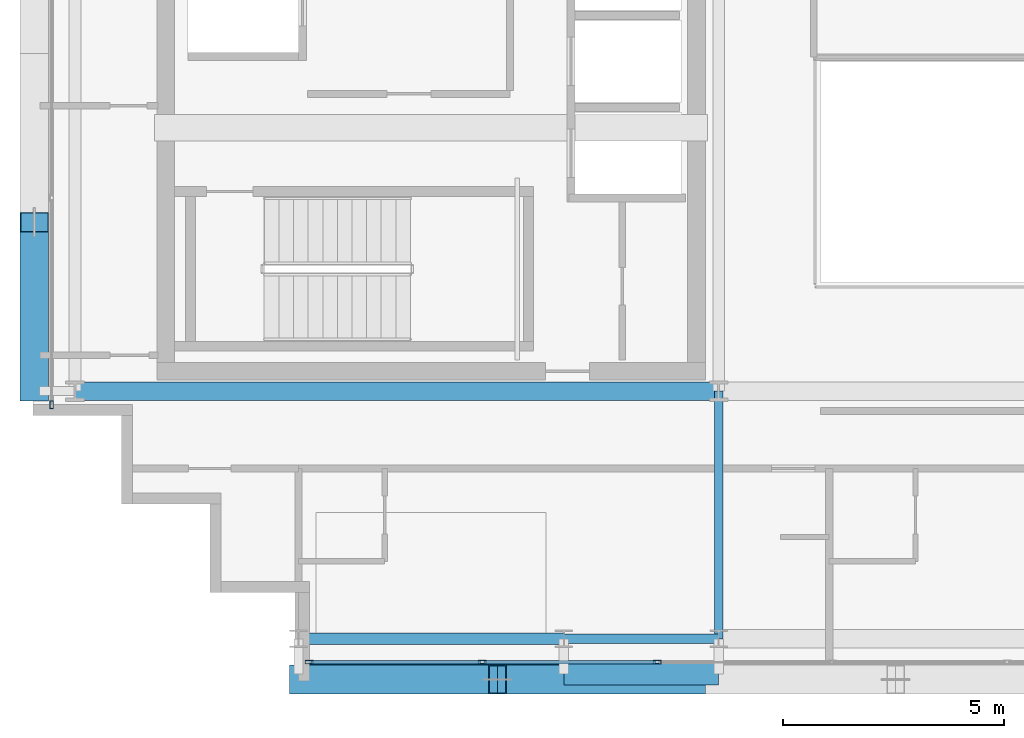
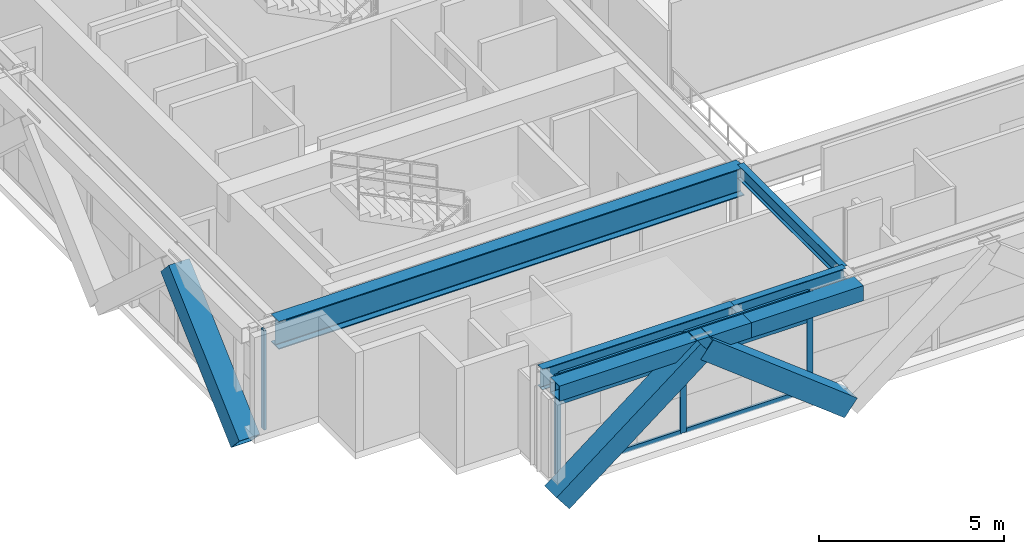
# One storey, part 2 of 28: 13 members, 6 beams, 2 elements without a shape of their own.
"""IFC4 building model written with IfcOpenShell, lengths in metres."""

import ifcopenshell
import ifcopenshell.guid

model = None  # the IFC model being written
_history = None  # IfcOwnerHistory: only IFC2X3 demands one
_inside = {}  # id of a spatial element -> (the spatial element, [elements in it])
_under = {}  # id of a project, library or spatial element -> (it, [spatial elements below it])
_declared = {}  # id of a project -> (the project, [libraries it declares])
_typed = {}  # id of a type object -> (the type object, [elements of that type])
_made_of = {}  # id of a material, layer set ... -> (it, [elements and type objects made of it])


def new_model(schema):
    """Start an empty IFC model of exactly this schema.

    Asked for "IFC4X3", IfcOpenShell would pick the latest addendum, in which some entities
    have other attributes; the version numbers below select the first issue.
    IFC2X3 requires an IfcOwnerHistory on every rooted entity: one is made here for all.
    """
    global model, _history
    if schema == "IFC4X3":
        model = ifcopenshell.file(schema_version=(4, 3, 0, 0))
    else:
        model = ifcopenshell.file(schema=schema)
    _inside.clear()
    _under.clear()
    _declared.clear()
    _typed.clear()
    _made_of.clear()
    _history = None
    if model.schema == "IFC2X3":
        org = make("IfcOrganization", Name="unknown")
        user = make(
            "IfcPersonAndOrganization",
            ThePerson=make("IfcPerson", FamilyName="unknown"),
            TheOrganization=org,
        )
        app = make(
            "IfcApplication",
            ApplicationDeveloper=org,
            Version="unknown",
            ApplicationFullName="unknown",
            ApplicationIdentifier="unknown",
        )
        _history = make(
            "IfcOwnerHistory",
            OwningUser=user,
            OwningApplication=app,
            ChangeAction="ADDED",
            CreationDate=0,
        )
    return model


def make(cls, **values):
    """One entity of the class cls with the attributes given. An attribute that is None is left unset."""
    return model.create_entity(
        cls, **{name: value for name, value in values.items() if value is not None}
    )


def rooted(cls, **values):
    """An entity with a GlobalId (a new one), such as an element, a storey or a relation."""
    return make(cls, GlobalId=ifcopenshell.guid.new(), OwnerHistory=_history, **values)


def si_unit(unit_type, name, prefix=None):
    """IfcSIUnit, for example si_unit("LENGTHUNIT", "METRE", prefix="MILLI")."""
    return make("IfcSIUnit", UnitType=unit_type, Prefix=prefix, Name=name)


def assignment(units):
    """IfcUnitAssignment: the units of a project."""
    return None if units is None else make("IfcUnitAssignment", Units=units)


def point(xyz):
    """IfcCartesianPoint."""
    return None if xyz is None else make("IfcCartesianPoint", Coordinates=xyz)


def direction(xyz):
    """IfcDirection."""
    return None if xyz is None else make("IfcDirection", DirectionRatios=xyz)


def frame(location, z_axis=None, x_axis=None):
    """IfcAxis2Placement3D, a coordinate frame: its origin and axes. An axis left out is left unset."""
    return make(
        "IfcAxis2Placement3D",
        Location=point(location),
        Axis=direction(z_axis),
        RefDirection=direction(x_axis),
    )


def frame_2d(location, x_axis=None):
    """IfcAxis2Placement2D, a coordinate frame in the plane: its origin and x axis."""
    return make(
        "IfcAxis2Placement2D", Location=point(location), RefDirection=direction(x_axis)
    )


def origin():
    """The frame at (0, 0, 0) with its axes left unset."""
    return frame((0.0, 0.0, 0.0))


def origin_2d():
    """The frame at (0, 0) in the plane with its x axis left unset."""
    return frame_2d((0.0, 0.0))


def place(relative_to, where):
    """IfcLocalPlacement: puts the frame where relative to a parent placement (None: the world)."""
    return make(
        "IfcLocalPlacement", PlacementRelTo=relative_to, RelativePlacement=where
    )


def context(
    kind, dimensions, precision=None, world=None, true_north=None, identifier=None
):
    """IfcGeometricRepresentationContext, for example the 3D "Model" context."""
    return make(
        "IfcGeometricRepresentationContext",
        ContextIdentifier=identifier,
        ContextType=kind,
        CoordinateSpaceDimension=dimensions,
        Precision=precision,
        WorldCoordinateSystem=world,
        TrueNorth=true_north,
    )


def subcontext(parent, identifier, kind, view, scale=None):
    """IfcGeometricRepresentationSubContext, for example "Body" below "Model"."""
    return make(
        "IfcGeometricRepresentationSubContext",
        ContextIdentifier=identifier,
        ContextType=kind,
        ParentContext=parent,
        TargetScale=scale,
        TargetView=view,
    )


def project(units=None, contexts=None):
    """IfcProject with its units and contexts."""
    return rooted(
        "IfcProject",
        Name="project",
        RepresentationContexts=contexts,
        UnitsInContext=assignment(units),
    )


def spatial(cls, under=None, at=None, **own):
    """A site, building, storey or space (cls), placed at a placement, below another one or the project."""
    s = rooted(cls, ObjectPlacement=at, **own)
    if under is not None:
        _under.setdefault(under.id(), (under, []))[1].append(s)
    return s


def profile(cls, at=None, kind="AREA", **sizes):
    """A parametric profile (cls). Its sizes go by their IFC names, for example OverallWidth=200.0."""
    return make(cls, ProfileType=kind, Position=at, **sizes)


def hollow_rectangle(**sizes):
    """IfcRectangleHollowProfileDef."""
    return profile("IfcRectangleHollowProfileDef", **sizes)


def i_section(**sizes):
    """IfcIShapeProfileDef."""
    return profile("IfcIShapeProfileDef", **sizes)


def extrude(swept, where, along, depth):
    """IfcExtrudedAreaSolid: the profile swept, set in the frame where, extruded along a direction by depth."""
    return make(
        "IfcExtrudedAreaSolid",
        SweptArea=swept,
        Position=where,
        ExtrudedDirection=direction(along),
        Depth=depth,
    )


def shape(context_of_items, identifier, shape_type, items):
    """IfcShapeRepresentation: the items that make up one representation, for example the "Body"."""
    return make(
        "IfcShapeRepresentation",
        ContextOfItems=context_of_items,
        RepresentationIdentifier=identifier,
        RepresentationType=shape_type,
        Items=items,
    )


def source(mapping_origin, context_of_items, identifier, shape_type, items):
    """IfcRepresentationMap: a shape defined once, which mapped items show again and again."""
    return make(
        "IfcRepresentationMap",
        MappingOrigin=mapping_origin,
        MappedRepresentation=shape(context_of_items, identifier, shape_type, items),
    )


def transform(
    local_origin,
    x_axis=None,
    y_axis=None,
    z_axis=None,
    scale=None,
    scale2=None,
    scale3=None,
    uniform=True,
):
    """IfcCartesianTransformationOperator3D, or its non-uniform kind. x_axis, y_axis, z_axis: its Axis1, 2, 3."""
    if uniform:
        return make(
            "IfcCartesianTransformationOperator3D",
            Axis1=direction(x_axis),
            Axis2=direction(y_axis),
            LocalOrigin=point(local_origin),
            Scale=scale,
            Axis3=direction(z_axis),
        )
    return make(
        "IfcCartesianTransformationOperator3DnonUniform",
        Axis1=direction(x_axis),
        Axis2=direction(y_axis),
        LocalOrigin=point(local_origin),
        Scale=scale,
        Axis3=direction(z_axis),
        Scale2=scale2,
        Scale3=scale3,
    )


def mapped(mapping_source, mapping_target):
    """IfcMappedItem: shows the shape of a source again, moved by a transform."""
    return make(
        "IfcMappedItem", MappingSource=mapping_source, MappingTarget=mapping_target
    )


def material(Name=None, Category=None):
    """IfcMaterial."""
    return make("IfcMaterial", Name=Name, Category=Category)


def layer(
    of_material, thickness, ventilated=None, Name=None, Category=None, Priority=None
):
    """IfcMaterialLayer: one layer of a wall or slab, of a material (None: an air gap)."""
    return make(
        "IfcMaterialLayer",
        Material=of_material,
        LayerThickness=thickness,
        IsVentilated=ventilated,
        Name=Name,
        Category=Category,
        Priority=Priority,
    )


def layer_set(layers, Name=None):
    """IfcMaterialLayerSet."""
    return make("IfcMaterialLayerSet", MaterialLayers=layers, LayerSetName=Name)


def material_profile(
    of_material, cross_section, Name=None, Category=None, Priority=None
):
    """IfcMaterialProfile: a cross section and its material."""
    return make(
        "IfcMaterialProfile",
        Name=Name,
        Material=of_material,
        Profile=cross_section,
        Priority=Priority,
        Category=Category,
    )


def profile_set(profiles, Name=None, composite=None):
    """IfcMaterialProfileSet."""
    return make(
        "IfcMaterialProfileSet",
        Name=Name,
        MaterialProfiles=profiles,
        CompositeProfile=composite,
    )


def made_of(thing, what):
    """Note that an element or type object is made of a material, layer set ...; save() writes the relation."""
    if what is not None:
        _made_of.setdefault(what.id(), (what, []))[1].append(thing)
    return thing


def type_object(cls, material=None, **own):
    """A type object (cls), such as IfcWallType, which elements share."""
    return made_of(rooted(cls, **own), material)


def element(
    cls,
    number,
    at=None,
    inside=None,
    cuts=None,
    type_object=None,
    material=None,
    context=None,
    identifier="Body",
    shape_type=None,
    held_by="IfcProductDefinitionShape",
    body=None,
    shapes=None,
    **own,
):
    """One element of the class cls, such as IfcWall. Its Tag is "e" and its number.

    at: its placement. inside: the storey or other place that contains it. cuts: it is an
    opening in that element (IfcRelVoidsElement). A single representation is given by context,
    identifier, shape_type and body (its items); several are given by shapes. held_by: the class
    of the entity that holds the representations. save() writes the other relations.
    """
    e = rooted(cls, Tag="e%d" % number, ObjectPlacement=at, **own)
    if body is not None:
        shapes = [shape(context, identifier, shape_type, body)]
    if shapes is not None:
        e.Representation = make(held_by, Representations=shapes)
    if inside is not None:
        _inside.setdefault(inside.id(), (inside, []))[1].append(e)
    if cuts is not None:
        rooted(
            "IfcRelVoidsElement", RelatingBuildingElement=cuts, RelatedOpeningElement=e
        )
    if type_object is not None:
        _typed.setdefault(type_object.id(), (type_object, []))[1].append(e)
    return made_of(e, material)


def aggregate(whole, parts):
    """IfcRelAggregates: a whole, such as a stair, and the parts it consists of."""
    return rooted("IfcRelAggregates", RelatingObject=whole, RelatedObjects=parts)


def save(model, path):
    """Write the relations noted so far, then the file.

    IfcRelAggregates (storeys below a building ...), IfcRelContainedInSpatialStructure (elements
    in a storey), IfcRelDefinesByType, IfcRelAssociatesMaterial and IfcRelDeclares: one each for
    every whole, place, type object, material and project.
    """
    for whole, parts in _under.values():
        aggregate(whole, parts)
    for where, things in _inside.values():
        rooted(
            "IfcRelContainedInSpatialStructure",
            RelatedElements=things,
            RelatingStructure=where,
        )
    for kind, things in _typed.values():
        rooted("IfcRelDefinesByType", RelatedObjects=things, RelatingType=kind)
    for what, things in _made_of.values():
        rooted("IfcRelAssociatesMaterial", RelatedObjects=things, RelatingMaterial=what)
    for by, libraries in _declared.values():
        rooted("IfcRelDeclares", RelatingContext=by, RelatedDefinitions=libraries)
    model.write(path)


model = new_model("IFC4")

# Units and contexts
model_context = context("Model", 3, precision=1e-05, world=origin(), true_north=direction((0.0, 1.0)))
body_context = subcontext(model_context, "Body", "Model", "MODEL_VIEW")
ifc_project = project(units=[si_unit("LENGTHUNIT", "METRE"), si_unit("AREAUNIT", "SQUARE_METRE"), si_unit("VOLUMEUNIT", "CUBIC_METRE"), si_unit("PLANEANGLEUNIT", "RADIAN"), si_unit("MASSUNIT", "GRAM", prefix="KILO")], contexts=[model_context])

# Site, building, storey
site_placement = place(None, origin())
site = spatial("IfcSite", under=ifc_project, at=site_placement, CompositionType="ELEMENT")
building_placement = place(site_placement, origin())
building = spatial("IfcBuilding", under=site, at=building_placement, Name="Ocotamira Hotel", CompositionType="ELEMENT")
storey_placement = place(building_placement, frame((0.0, 0.0, 243.60009765625)))
storey = spatial("IfcBuildingStorey", under=building, at=storey_placement, Name="L61", CompositionType="ELEMENT", Elevation=243.60009765625)

# Beams
ifc_material_1 = material(Name="Steel ASTM A992 Grade 50", Category="steel")
ifc_material_profile_1 = material_profile(ifc_material_1, i_section(OverallWidth=0.41796875, OverallDepth=0.927001953125, WebThickness=0.019287109375, FlangeThickness=0.031982421875, FilletRadius=0.02392578125, at=origin_2d()), Name="W36X231")
ifc_profile_set_1 = profile_set([ifc_material_profile_1], Name="Steel ASTM A992 Grade 50")
beam_type_1 = type_object("IfcBeamType", Name="BM-GIRD-W36X231", PredefinedType="BEAM", material=ifc_profile_set_1)
shared_shape_1 = source(origin(), body_context, "Body", "SweptSolid", [
    extrude(i_section(OverallWidth=0.41796875, OverallDepth=0.927001953125, WebThickness=0.019287109375, FlangeThickness=0.031982421875, FilletRadius=0.02392578125, at=origin_2d()), origin(), (0.0, 0.0, 1.0), 14.550048828125),
])
beam_1_placement = place(storey_placement, frame((8.949951171875, 14.550048828125, 2.81640625), z_axis=(1.0, 0.0, 0.0), x_axis=(0.0, 1.0, 0.0)))
element("IfcBeam", 1, at=beam_1_placement, inside=storey, type_object=beam_type_1, Name="L61 Girder Y14.55 X8.95-23.5", PredefinedType="BEAM", context=body_context, shape_type="MappedRepresentation", body=[
    mapped(shared_shape_1, transform((0.0, 0.0, 0.0), scale=1.0)),
])
ifc_material_profile_2 = material_profile(ifc_material_1, i_section(OverallWidth=0.256103515625, OverallDepth=0.693115234375, WebThickness=0.014404296875, FlangeThickness=0.023681640625, FilletRadius=0.01611328125, at=origin_2d()), Name="W27X114")
ifc_profile_set_2 = profile_set([ifc_material_profile_2], Name="Steel ASTM A992 Grade 50")
beam_type_2 = type_object("IfcBeamType", Name="BM-PRIM-W27X114", PredefinedType="BEAM", material=ifc_profile_set_2)
shared_shape_2 = source(origin(), body_context, "Body", "SweptSolid", [
    extrude(i_section(OverallWidth=0.256103515625, OverallDepth=0.693115234375, WebThickness=0.014404296875, FlangeThickness=0.023681640625, FilletRadius=0.01611328125, at=origin_2d()), origin(), (0.0, 0.0, 1.0), 6.0),
])
beam_2_placement = place(storey_placement, frame((14.0, 8.949951171875, 2.933349609375), z_axis=(1.0, 0.0, 0.0), x_axis=(0.0, 1.0, 0.0)))
element("IfcBeam", 2, at=beam_2_placement, inside=storey, type_object=beam_type_2, Name="L61 Girder Y8.95 X14-20", PredefinedType="BEAM", context=body_context, shape_type="MappedRepresentation", body=[
    mapped(shared_shape_2, transform((0.0, 0.0, 0.0), scale=1.0)),
])
ifc_material_profile_3 = material_profile(ifc_material_1, i_section(OverallWidth=0.2099609375, OverallDepth=0.537109375, WebThickness=0.010986328125, FlangeThickness=0.017333984375, FilletRadius=0.012939453125, at=origin_2d()), Name="W21X68")
ifc_profile_set_3 = profile_set([ifc_material_profile_3], Name="Steel ASTM A992 Grade 50")
beam_type_3 = type_object("IfcBeamType", Name="BM-SEC-W21X68", PredefinedType="JOIST", material=ifc_profile_set_3)
shared_shape_3 = source(origin(), body_context, "Body", "SweptSolid", [
    extrude(i_section(OverallWidth=0.2099609375, OverallDepth=0.537109375, WebThickness=0.010986328125, FlangeThickness=0.017333984375, FilletRadius=0.012939453125, at=origin_2d()), origin(), (0.0, 0.0, 1.0), 3.5),
])
beam_3_placement = place(storey_placement, frame((20.0, 8.949951171875, 3.011474609375), z_axis=(1.0, 0.0, 0.0), x_axis=(0.0, 1.0, 0.0)))
element("IfcBeam", 3, at=beam_3_placement, inside=storey, type_object=beam_type_3, Name="L61 Girder Y8.95 X20-23.5", PredefinedType="JOIST", context=body_context, shape_type="MappedRepresentation", body=[
    mapped(shared_shape_3, transform((0.0, 0.0, 0.0), scale=1.0)),
])
ifc_material_2 = material(Name="Steel ASTM A500 Grade C", Category="steel")
ifc_material_profile_4 = material_profile(ifc_material_2, hollow_rectangle(XDim=0.5, YDim=0.5, WallThickness=0.02001953125, at=origin_2d()), Name="HSS500X500X20")
ifc_profile_set_4 = profile_set([ifc_material_profile_4], Name="Steel ASTM A500 Grade C")
beam_type_4 = type_object("IfcBeamType", Name="BM-SPAN-HSS500", PredefinedType="USERDEFINED", material=ifc_profile_set_4)
shared_shape_4 = source(origin(), body_context, "Body", "SweptSolid", [
    extrude(hollow_rectangle(XDim=0.5, YDim=0.5, WallThickness=0.02001953125, at=origin_2d()), origin(), (0.0, 0.0, 1.0), 6.0),
])
beam_4_placement = place(storey_placement, frame((14.0, 8.14990234375, 3.02978515625), z_axis=(1.0, 0.0, 0.0), x_axis=(0.0, 1.0, 0.0)))
element("IfcBeam", 4, at=beam_4_placement, inside=storey, type_object=beam_type_4, Name="L61 Edge Spandrel S X14-20", ObjectType="SPANDREL", PredefinedType="USERDEFINED", context=body_context, shape_type="MappedRepresentation", body=[
    mapped(shared_shape_4, transform((0.0, 0.0, 0.0), scale=1.0)),
])
shared_shape_5 = source(origin(), body_context, "Body", "SweptSolid", [
    extrude(hollow_rectangle(XDim=0.5, YDim=0.5, WallThickness=0.02001953125, at=origin_2d()), origin(), (0.0, 0.0, 1.0), 3.5),
])
beam_5_placement = place(storey_placement, frame((20.0, 8.14990234375, 3.02978515625), z_axis=(1.0, 0.0, 0.0), x_axis=(0.0, 1.0, 0.0)))
element("IfcBeam", 5, at=beam_5_placement, inside=storey, type_object=beam_type_4, Name="L61 Edge Spandrel S X20-23.5", ObjectType="SPANDREL", PredefinedType="USERDEFINED", context=body_context, shape_type="MappedRepresentation", body=[
    mapped(shared_shape_5, transform((0.0, 0.0, 0.0), scale=1.0)),
])
ifc_material_profile_5 = material_profile(ifc_material_1, i_section(OverallWidth=0.18994140625, OverallDepth=0.45703125, WebThickness=0.009033203125, FlangeThickness=0.014404296875, FilletRadius=0.010009765625, at=origin_2d()), Name="W18X50")
ifc_profile_set_5 = profile_set([ifc_material_profile_5], Name="Steel ASTM A992 Grade 50")
beam_type_5 = type_object("IfcBeamType", Name="BM-SEC-W18X50", PredefinedType="JOIST", material=ifc_profile_set_5)
shared_shape_6 = source(origin(), body_context, "Body", "SweptSolid", [
    extrude(i_section(OverallWidth=0.18994140625, OverallDepth=0.45703125, WebThickness=0.009033203125, FlangeThickness=0.014404296875, FilletRadius=0.010009765625, at=origin_2d()), origin(), (0.0, 0.0, 1.0), 5.60009765625),
])
beam_6_placement = place(storey_placement, frame((23.5, 8.949951171875, 3.051513671875), z_axis=(0.0, 1.0, 0.0), x_axis=(-1.0, 0.0, 0.0)))
element("IfcBeam", 6, at=beam_6_placement, inside=storey, type_object=beam_type_5, Name="L61 Beam X23.5 Y8.95-14.55", PredefinedType="JOIST", context=body_context, shape_type="MappedRepresentation", body=[
    mapped(shared_shape_6, transform((0.0, 0.0, 0.0), scale=1.0)),
])

# Members
ifc_material_3 = material(Name="Pale-metal coated steel ASTM A913 Grade 65", Category="steel")
ifc_material_profile_6 = material_profile(ifc_material_3, hollow_rectangle(XDim=0.64990234375, YDim=0.64990234375, WallThickness=0.02197265625, at=origin_2d()), Name="BOX650X650X22")
ifc_profile_set_6 = profile_set([ifc_material_profile_6], Name="Pale-metal coated steel ASTM A913 Grade 65")
member_type_1 = type_object("IfcMemberType", Name="MEM-EXO-BOX650", PredefinedType="BRACE", material=ifc_profile_set_6)
shared_shape_7 = source(origin(), body_context, "Body", "SweptSolid", [
    extrude(hollow_rectangle(XDim=0.64990234375, YDim=0.64990234375, WallThickness=0.02197265625, at=origin_2d()), origin(), (0.0, 0.0, 1.0), 5.700927734375),
])
for number, where, z_axis, x_axis, name in (
    (7, (14.0, 8.030029296875, -0.47021484375), (0.789352217376, 0.0, 0.613940613515), (0.0, 1.0, 0.0), "L61 Exoskeleton Diagrid S0.1"),
    (8, (23.0, 8.030029296875, -0.47021484375), (-0.789352217376, 0.0, 0.613940613515), (0.0, -1.0, 0.0), "L61 Exoskeleton Diagrid S0.2"),
):
    element("IfcMember", number, at=place(storey_placement, frame(where, z_axis=z_axis, x_axis=x_axis)), inside=storey, type_object=member_type_1, Name=name, PredefinedType="BRACE", context=body_context, shape_type="MappedRepresentation", body=[
        mapped(shared_shape_7, transform((0.0, 0.0, 0.0), scale=1.0)),
    ])
shared_shape_8 = source(origin(), body_context, "Body", "SweptSolid", [
    extrude(hollow_rectangle(XDim=0.64990234375, YDim=0.64990234375, WallThickness=0.02197265625, at=origin_2d()), origin(), (0.0, 0.0, 1.0), 5.178466796875),
])
member_1_placement = place(storey_placement, frame((8.030029296875, 14.550048828125, -0.47021484375), z_axis=(0.0, 0.737019094846, 0.675871921174), x_axis=(-1.0, 0.0, 0.0)))
element("IfcMember", 9, at=member_1_placement, inside=storey, type_object=member_type_1, Name="L61 Exoskeleton Diagrid W0.1", PredefinedType="BRACE", context=body_context, shape_type="MappedRepresentation", body=[
    mapped(shared_shape_8, transform((0.0, 0.0, 0.0), scale=1.0)),
])

# Curtain wall, members
ifc_material_4 = material(Name="Anodised pale-metal aluminium and solar glass", Category="aluminium")
ifc_layer = layer(ifc_material_4, 0.239990234375)
ifc_layer_set = layer_set([ifc_layer], Name="Anodised pale-metal aluminium and solar glass")
curtain_wall_type = type_object("IfcCurtainWallType", Name="CW-SYS5-SKY", PredefinedType="NOTDEFINED", material=ifc_layer_set)
curtain_wall_1_placement = place(storey_placement, origin())
curtain_wall_1 = element("IfcCurtainWall", 10, at=curtain_wall_1_placement, inside=storey, type_object=curtain_wall_type, Name="L61 Curtain Wall CW-5 CW-L61-S1", PredefinedType="NOTDEFINED")
ifc_material_5 = material(Name="Anodised pale-metal aluminium 6063-T6", Category="aluminium")
ifc_material_profile_7 = material_profile(ifc_material_5, hollow_rectangle(XDim=0.074951171875, YDim=0.14990234375, WallThickness=0.006103515625, at=origin_2d()), Name="HSS150X75X6")
ifc_profile_set_7 = profile_set([ifc_material_profile_7], Name="Anodised pale-metal aluminium 6063-T6")
member_type_2 = type_object("IfcMemberType", Name="CWT-150X75", PredefinedType="USERDEFINED", material=ifc_profile_set_7)
shared_shape_9 = source(origin(), body_context, "Body", "SweptSolid", [
    extrude(hollow_rectangle(XDim=0.074951171875, YDim=0.14990234375, WallThickness=0.006103515625, at=origin_2d()), origin(), (0.0, 0.0, 1.0), 3.83544921875),
])
member_2_placement = place(storey_placement, frame((14.280029296875, 8.419921875, 0.037353515625), z_axis=(1.0, 0.0, 0.0), x_axis=(0.0, 1.0, 0.0)))
member_2 = element("IfcMember", 11, at=member_2_placement, type_object=member_type_2, Name="CW-5 transom 1.1", ObjectType="TRANSOM", PredefinedType="USERDEFINED", context=body_context, shape_type="MappedRepresentation", body=[
    mapped(shared_shape_9, transform((0.0, 0.0, 0.0), scale=1.0)),
])
member_3_placement = place(storey_placement, frame((14.280029296875, 8.419921875, 2.349853515625), z_axis=(1.0, 0.0, 0.0), x_axis=(0.0, 1.0, 0.0)))
member_3 = element("IfcMember", 12, at=member_3_placement, type_object=member_type_2, Name="CW-5 transom 1.2", ObjectType="TRANSOM", PredefinedType="USERDEFINED", context=body_context, shape_type="MappedRepresentation", body=[
    mapped(shared_shape_9, transform((0.0, 0.0, 0.0), scale=1.0)),
])
member_4_placement = place(storey_placement, frame((14.280029296875, 8.419921875, 3.242431640625), z_axis=(1.0, 0.0, 0.0), x_axis=(0.0, 1.0, 0.0)))
member_4 = element("IfcMember", 13, at=member_4_placement, type_object=member_type_2, Name="CW-5 transom 1.3", ObjectType="TRANSOM", PredefinedType="USERDEFINED", context=body_context, shape_type="MappedRepresentation", body=[
    mapped(shared_shape_9, transform((0.0, 0.0, 0.0), scale=1.0)),
])
shared_shape_10 = source(origin(), body_context, "Body", "SweptSolid", [
    extrude(hollow_rectangle(XDim=0.074951171875, YDim=0.14990234375, WallThickness=0.006103515625, at=origin_2d()), origin(), (0.0, 0.0, 1.0), 3.87548828125),
])
member_5_placement = place(storey_placement, frame((18.195556640625, 8.419921875, 0.037353515625), z_axis=(1.0, 0.0, 0.0), x_axis=(0.0, 1.0, 0.0)))
member_5 = element("IfcMember", 14, at=member_5_placement, type_object=member_type_2, Name="CW-5 transom 2.1", ObjectType="TRANSOM", PredefinedType="USERDEFINED", context=body_context, shape_type="MappedRepresentation", body=[
    mapped(shared_shape_10, transform((0.0, 0.0, 0.0), scale=1.0)),
])
member_6_placement = place(storey_placement, frame((18.195556640625, 8.419921875, 2.349853515625), z_axis=(1.0, 0.0, 0.0), x_axis=(0.0, 1.0, 0.0)))
member_6 = element("IfcMember", 15, at=member_6_placement, type_object=member_type_2, Name="CW-5 transom 2.2", ObjectType="TRANSOM", PredefinedType="USERDEFINED", context=body_context, shape_type="MappedRepresentation", body=[
    mapped(shared_shape_10, transform((0.0, 0.0, 0.0), scale=1.0)),
])
member_7_placement = place(storey_placement, frame((18.195556640625, 8.419921875, 3.242431640625), z_axis=(1.0, 0.0, 0.0), x_axis=(0.0, 1.0, 0.0)))
member_7 = element("IfcMember", 16, at=member_7_placement, type_object=member_type_2, Name="CW-5 transom 2.3", ObjectType="TRANSOM", PredefinedType="USERDEFINED", context=body_context, shape_type="MappedRepresentation", body=[
    mapped(shared_shape_10, transform((0.0, 0.0, 0.0), scale=1.0)),
])
ifc_material_profile_8 = material_profile(ifc_material_5, hollow_rectangle(XDim=0.080078125, YDim=0.179931640625, WallThickness=0.006103515625, at=origin_2d()), Name="HSS180X80X6")
ifc_profile_set_8 = profile_set([ifc_material_profile_8], Name="Anodised pale-metal aluminium 6063-T6")
member_type_3 = type_object("IfcMemberType", Name="CWM-180X75", PredefinedType="MULLION", material=ifc_profile_set_8)
shared_shape_11 = source(origin(), body_context, "Body", "SweptSolid", [
    extrude(hollow_rectangle(XDim=0.080078125, YDim=0.179931640625, WallThickness=0.006103515625, at=origin_2d()), origin(), (0.0, 0.0, 1.0), 3.27978515625),
])
member_8_placement = place(storey_placement, frame((14.239990234375, 8.419921875, 0.0), z_axis=(0.0, 0.0, 1.0), x_axis=(0.0, 1.0, 0.0)))
member_8 = element("IfcMember", 17, at=member_8_placement, type_object=member_type_3, Name="CW-5 mullion 1", PredefinedType="MULLION", context=body_context, shape_type="MappedRepresentation", body=[
    mapped(shared_shape_11, transform((0.0, 0.0, 0.0), scale=1.0)),
])
member_9_placement = place(storey_placement, frame((18.155517578125, 8.419921875, 0.0), z_axis=(0.0, 0.0, 1.0), x_axis=(0.0, 1.0, 0.0)))
member_9 = element("IfcMember", 18, at=member_9_placement, type_object=member_type_3, Name="CW-5 mullion 2", PredefinedType="MULLION", context=body_context, shape_type="MappedRepresentation", body=[
    mapped(shared_shape_11, transform((0.0, 0.0, 0.0), scale=1.0)),
])
member_10_placement = place(storey_placement, frame((22.111083984375, 8.419921875, 0.0), z_axis=(0.0, 0.0, 1.0), x_axis=(0.0, 1.0, 0.0)))
member_10 = element("IfcMember", 19, at=member_10_placement, type_object=member_type_3, Name="CW-5 mullion 3", PredefinedType="MULLION", context=body_context, shape_type="MappedRepresentation", body=[
    mapped(shared_shape_11, transform((0.0, 0.0, 0.0), scale=1.0)),
])
aggregate(curtain_wall_1, [member_8, member_9, member_10, member_2, member_3, member_4, member_5, member_6, member_7])

# Curtain wall, member
curtain_wall_2_placement = place(storey_placement, origin())
curtain_wall_2 = element("IfcCurtainWall", 20, at=curtain_wall_2_placement, inside=storey, type_object=curtain_wall_type, Name="L61 Curtain Wall CW-5 CW-L61-W", PredefinedType="NOTDEFINED")
member_11_placement = place(storey_placement, frame((8.419921875, 14.239990234375, 0.0), z_axis=(0.0, 0.0, 1.0), x_axis=(-1.0, 0.0, 0.0)))
member_11 = element("IfcMember", 21, at=member_11_placement, type_object=member_type_3, Name="CW-5 mullion 1", PredefinedType="MULLION", context=body_context, shape_type="MappedRepresentation", body=[
    mapped(shared_shape_11, transform((0.0, 0.0, 0.0), scale=1.0)),
])
aggregate(curtain_wall_2, [member_11])

save(model, "model.ifc")
